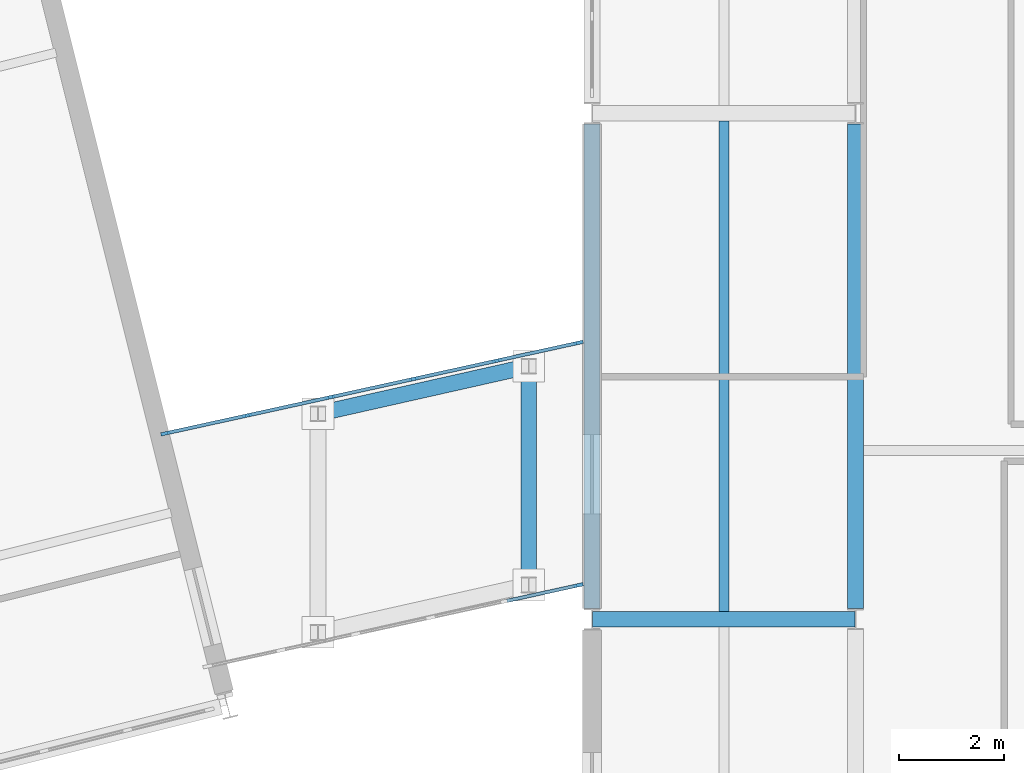
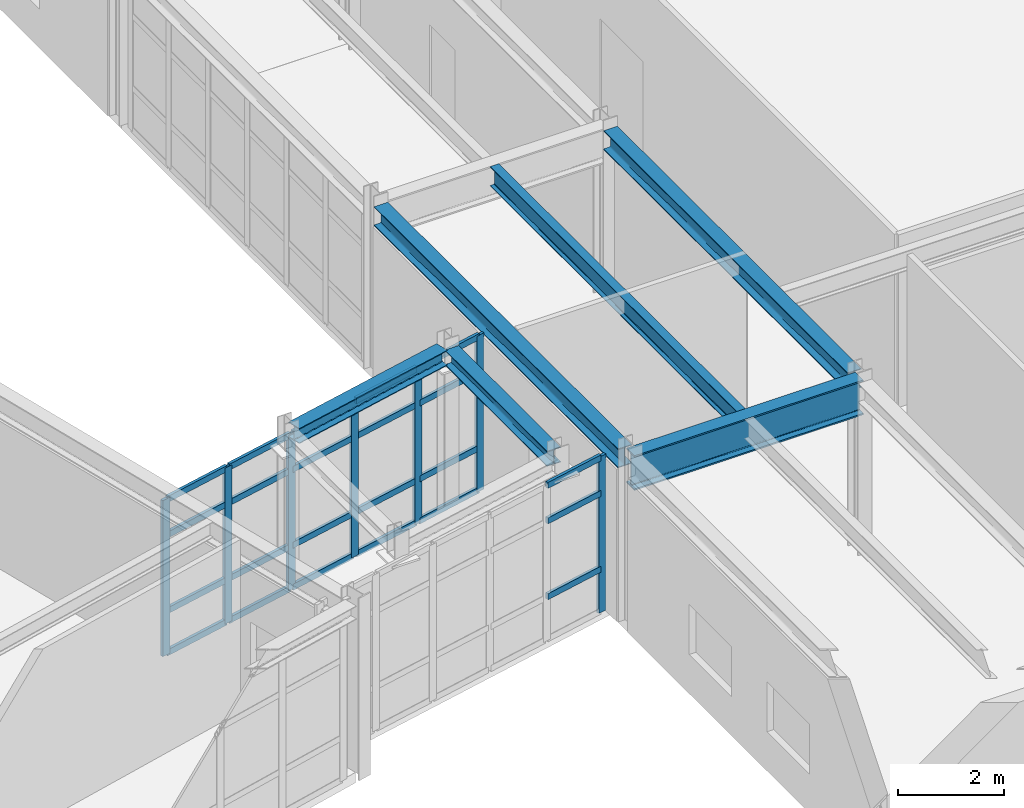
# One storey, part 24 of 88: 30 members, 6 beams, 2 elements without a shape of their own.
"""IFC4 building model written with IfcOpenShell, lengths in metres."""

from ifc_helpers import new_model, si_unit, direction, frame, origin, origin_2d, place, context, subcontext, project, spatial, rectangle, i_section, extrude, material, layer, layer_set, material_profile, profile_set, type_object, element, aggregate, save


model = new_model("IFC4")

# Units and contexts
model_context = context("Model", 3, precision=1e-05, world=origin(), true_north=direction((0.0, 1.0)))
body_context = subcontext(model_context, "Body", "Model", "MODEL_VIEW")
ifc_project = project(units=[si_unit("LENGTHUNIT", "METRE"), si_unit("AREAUNIT", "SQUARE_METRE"), si_unit("VOLUMEUNIT", "CUBIC_METRE"), si_unit("PLANEANGLEUNIT", "RADIAN"), si_unit("MASSUNIT", "GRAM", prefix="KILO")], contexts=[model_context])

# Site, building, storey
site_placement = place(None, origin())
site = spatial("IfcSite", under=ifc_project, at=site_placement, CompositionType="ELEMENT")
building_placement = place(site_placement, origin())
building = spatial("IfcBuilding", under=site, at=building_placement, Name="Nordkorset Police Headquarters", CompositionType="ELEMENT")
storey_placement = place(building_placement, frame((0.0, 0.0, 9.449951171875)))
storey = spatial("IfcBuildingStorey", under=building, at=storey_placement, Name="L02", CompositionType="ELEMENT", Elevation=9.449951171875)

# Beam
ifc_material_1 = material(Name="Steel S355J2", Category="steel")
ifc_material_profile_1 = material_profile(ifc_material_1, i_section(OverallWidth=0.18994140625, OverallDepth=0.449951171875, WebThickness=0.009521484375, FlangeThickness=0.0146484375, FilletRadius=0.02099609375, at=origin_2d()), Name="IPE 450")
ifc_profile_set_1 = profile_set([ifc_material_profile_1], Name="Steel S355J2")
beam_type_1 = type_object("IfcBeamType", Name="Beam_IPE_450", PredefinedType="BEAM", material=ifc_profile_set_1)
beam_1_placement = place(storey_placement, frame((88.89990234375, 57.75, 3.739990234375), z_axis=(0.0, 1.0, 0.0), x_axis=(-1.0, 0.0, 0.0)))
element("IfcBeam", 1, at=beam_1_placement, inside=storey, type_object=beam_type_1, Name="Composite Floor Beam V5 L02 0-1-1", PredefinedType="BEAM", context=body_context, shape_type="SweptSolid", body=[
    extrude(i_section(OverallWidth=0.18994140625, OverallDepth=0.449951171875, WebThickness=0.009521484375, FlangeThickness=0.0146484375, FilletRadius=0.02099609375, at=origin_2d()), origin(), (0.0, 0.0, 1.0), 9.300048828125),
])

# Curtain wall, member
ifc_material_2 = material(Name="Aluminium alloy AW-6060", Category="aluminium")
ifc_layer_1 = layer(ifc_material_2, 0.179931640625, Name="Aluminium alloy AW-6060")
ifc_layer_set_1 = layer_set([ifc_layer_1], Name="Aluminium alloy AW-6060")
curtain_wall_type_1 = type_object("IfcCurtainWallType", Name="CW_Unit_727x360", PredefinedType="USERDEFINED", material=ifc_layer_set_1)
curtain_wall_1_placement = place(storey_placement, origin())
curtain_wall_1 = element("IfcCurtainWall", 2, at=curtain_wall_1_placement, inside=storey, type_object=curtain_wall_type_1, Name="Unitised Curtain Wall L02 BRGE-S", ObjectType="UNITISED CURTAIN WALL", PredefinedType="USERDEFINED")
ifc_material_3 = material(Name="Aluminium alloy AW-6060", Category="aluminium")
ifc_material_profile_2 = material_profile(ifc_material_3, rectangle(XDim=0.06494140625, YDim=0.179931640625, at=origin_2d()), Name="ALU MULL 65x180")
ifc_profile_set_2 = profile_set([ifc_material_profile_2], Name="Aluminium alloy AW-6060")
member_type_1 = type_object("IfcMemberType", Name="CW_Mullion_65x180", PredefinedType="MULLION", material=ifc_profile_set_2)
member_1_placement = place(storey_placement, frame((86.142333984375, 58.24462890625, 0.0), z_axis=(0.0, 0.0, 1.0), x_axis=(-0.213736608425, 0.976891325695, 0.0)))
member_1 = element("IfcMember", 3, at=member_1_placement, type_object=member_type_1, Name="CW-22 mullion 6", PredefinedType="MULLION", context=body_context, shape_type="SweptSolid", body=[
    extrude(rectangle(XDim=0.06494140625, YDim=0.179931640625, at=origin_2d()), origin(), (0.0, 0.0, 1.0), 3.594970703125),
])

# Curtain wall, members
ifc_material_4 = material(Name="Aluminium alloy AW-6060", Category="aluminium")
ifc_layer_2 = layer(ifc_material_4, 0.179931640625, Name="Aluminium alloy AW-6060")
ifc_layer_set_2 = layer_set([ifc_layer_2], Name="Aluminium alloy AW-6060")
curtain_wall_type_2 = type_object("IfcCurtainWallType", Name="CW_Unit_809x360", PredefinedType="USERDEFINED", material=ifc_layer_set_2)
curtain_wall_2_placement = place(storey_placement, origin())
curtain_wall_2 = element("IfcCurtainWall", 4, at=curtain_wall_2_placement, inside=storey, type_object=curtain_wall_type_2, Name="Unitised Curtain Wall L02 BRGE-N", ObjectType="UNITISED CURTAIN WALL", PredefinedType="USERDEFINED")
member_2_placement = place(storey_placement, frame((78.3076171875, 61.12548828125, 0.0), z_axis=(0.0, 0.0, 1.0), x_axis=(-0.214298001706, 0.976768327939, 0.0)))
member_2 = element("IfcMember", 5, at=member_2_placement, type_object=member_type_1, Name="CW-53 mullion 1", PredefinedType="MULLION", context=body_context, shape_type="SweptSolid", body=[
    extrude(rectangle(XDim=0.06494140625, YDim=0.179931640625, at=origin_2d()), origin(), (0.0, 0.0, 1.0), 3.594970703125),
])
member_3_placement = place(storey_placement, frame((79.85546875, 61.465087890625, 0.0), z_axis=(0.0, 0.0, 1.0), x_axis=(-0.214298001706, 0.976768327939, 0.0)))
member_3 = element("IfcMember", 6, at=member_3_placement, type_object=member_type_1, Name="CW-53 mullion 2", PredefinedType="MULLION", context=body_context, shape_type="SweptSolid", body=[
    extrude(rectangle(XDim=0.06494140625, YDim=0.179931640625, at=origin_2d()), origin(), (0.0, 0.0, 1.0), 3.594970703125),
])
member_4_placement = place(storey_placement, frame((81.43505859375, 61.811767578125, 0.0), z_axis=(0.0, 0.0, 1.0), x_axis=(-0.214298001706, 0.976768327939, 0.0)))
member_4 = element("IfcMember", 7, at=member_4_placement, type_object=member_type_1, Name="CW-53 mullion 3", PredefinedType="MULLION", context=body_context, shape_type="SweptSolid", body=[
    extrude(rectangle(XDim=0.06494140625, YDim=0.179931640625, at=origin_2d()), origin(), (0.0, 0.0, 1.0), 3.594970703125),
])
member_5_placement = place(storey_placement, frame((83.014892578125, 62.158203125, 0.0), z_axis=(0.0, 0.0, 1.0), x_axis=(-0.214298001706, 0.976768327939, 0.0)))
member_5 = element("IfcMember", 8, at=member_5_placement, type_object=member_type_1, Name="CW-53 mullion 4", PredefinedType="MULLION", context=body_context, shape_type="SweptSolid", body=[
    extrude(rectangle(XDim=0.06494140625, YDim=0.179931640625, at=origin_2d()), origin(), (0.0, 0.0, 1.0), 3.594970703125),
])
member_6_placement = place(storey_placement, frame((84.594482421875, 62.5048828125, 0.0), z_axis=(0.0, 0.0, 1.0), x_axis=(-0.214298001706, 0.976768327939, 0.0)))
member_6 = element("IfcMember", 9, at=member_6_placement, type_object=member_type_1, Name="CW-53 mullion 5", PredefinedType="MULLION", context=body_context, shape_type="SweptSolid", body=[
    extrude(rectangle(XDim=0.06494140625, YDim=0.179931640625, at=origin_2d()), origin(), (0.0, 0.0, 1.0), 3.594970703125),
])
member_7_placement = place(storey_placement, frame((86.142333984375, 62.844482421875, 0.0), z_axis=(0.0, 0.0, 1.0), x_axis=(-0.214298001706, 0.976768327939, 0.0)))
member_7 = element("IfcMember", 10, at=member_7_placement, type_object=member_type_1, Name="CW-53 mullion 6", PredefinedType="MULLION", context=body_context, shape_type="SweptSolid", body=[
    extrude(rectangle(XDim=0.06494140625, YDim=0.179931640625, at=origin_2d()), origin(), (0.0, 0.0, 1.0), 3.594970703125),
])

# Member
ifc_material_5 = material(Name="Aluminium alloy AW-6060", Category="aluminium")
ifc_material_profile_3 = material_profile(ifc_material_5, rectangle(XDim=0.06494140625, YDim=0.139892578125, at=origin_2d()), Name="ALU TRAN 65x140")
ifc_profile_set_3 = profile_set([ifc_material_profile_3], Name="Aluminium alloy AW-6060")
member_type_2 = type_object("IfcMemberType", Name="CW_Transom_65x140", PredefinedType="USERDEFINED", material=ifc_profile_set_3)
member_8_placement = place(storey_placement, frame((84.7861328125, 57.94775390625, 1.0), z_axis=(0.976889443486, 0.213745210953, 0.0), x_axis=(-0.213745210953, 0.976889443486, 0.0)))
member_8 = element("IfcMember", 11, at=member_8_placement, type_object=member_type_2, Name="CW-22 transom 5.2", ObjectType="TRANSOM", PredefinedType="USERDEFINED", context=body_context, shape_type="SweptSolid", body=[
    extrude(rectangle(XDim=0.06494140625, YDim=0.139892578125, at=origin_2d()), origin(), (0.0, 0.0, 1.0), 1.355712890625),
])

member_9_placement = place(storey_placement, frame((84.7861328125, 57.94775390625, 2.7451171875), z_axis=(0.976889443486, 0.213745210953, 0.0), x_axis=(-0.213745210953, 0.976889443486, 0.0)))
member_9 = element("IfcMember", 12, at=member_9_placement, type_object=member_type_2, Name="CW-22 transom 5.3", ObjectType="TRANSOM", PredefinedType="USERDEFINED", context=body_context, shape_type="SweptSolid", body=[
    extrude(rectangle(XDim=0.06494140625, YDim=0.139892578125, at=origin_2d()), origin(), (0.0, 0.0, 1.0), 1.355712890625),
])

member_10_placement = place(storey_placement, frame((84.7861328125, 57.94775390625, 3.5625), z_axis=(0.976889443486, 0.213745210953, 0.0), x_axis=(-0.213745210953, 0.976889443486, 0.0)))
member_10 = element("IfcMember", 13, at=member_10_placement, type_object=member_type_2, Name="CW-22 transom 5.4", ObjectType="TRANSOM", PredefinedType="USERDEFINED", context=body_context, shape_type="SweptSolid", body=[
    extrude(rectangle(XDim=0.06494140625, YDim=0.139892578125, at=origin_2d()), origin(), (0.0, 0.0, 1.0), 1.355712890625),
])

aggregate(curtain_wall_1, [member_1, member_8, member_9, member_10])

member_11_placement = place(storey_placement, frame((78.33935546875, 61.132568359375, 0.032470703125), z_axis=(0.976765673538, 0.214310100082, 0.0), x_axis=(-0.214310100082, 0.976765673538, 0.0)))
member_11 = element("IfcMember", 14, at=member_11_placement, type_object=member_type_2, Name="CW-53 transom 1.1", ObjectType="TRANSOM", PredefinedType="USERDEFINED", context=body_context, shape_type="SweptSolid", body=[
    extrude(rectangle(XDim=0.06494140625, YDim=0.139892578125, at=origin_2d()), origin(), (0.0, 0.0, 1.0), 1.519775390625),
])

member_12_placement = place(storey_placement, frame((78.33935546875, 61.132568359375, 1.0), z_axis=(0.976765673538, 0.214310100082, 0.0), x_axis=(-0.214310100082, 0.976765673538, 0.0)))
member_12 = element("IfcMember", 15, at=member_12_placement, type_object=member_type_2, Name="CW-53 transom 1.2", ObjectType="TRANSOM", PredefinedType="USERDEFINED", context=body_context, shape_type="SweptSolid", body=[
    extrude(rectangle(XDim=0.06494140625, YDim=0.139892578125, at=origin_2d()), origin(), (0.0, 0.0, 1.0), 1.519775390625),
])

member_13_placement = place(storey_placement, frame((78.33935546875, 61.132568359375, 2.7451171875), z_axis=(0.976765673538, 0.214310100082, 0.0), x_axis=(-0.214310100082, 0.976765673538, 0.0)))
member_13 = element("IfcMember", 16, at=member_13_placement, type_object=member_type_2, Name="CW-53 transom 1.3", ObjectType="TRANSOM", PredefinedType="USERDEFINED", context=body_context, shape_type="SweptSolid", body=[
    extrude(rectangle(XDim=0.06494140625, YDim=0.139892578125, at=origin_2d()), origin(), (0.0, 0.0, 1.0), 1.519775390625),
])

member_14_placement = place(storey_placement, frame((78.33935546875, 61.132568359375, 3.5625), z_axis=(0.976765673538, 0.214310100082, 0.0), x_axis=(-0.214310100082, 0.976765673538, 0.0)))
member_14 = element("IfcMember", 17, at=member_14_placement, type_object=member_type_2, Name="CW-53 transom 1.4", ObjectType="TRANSOM", PredefinedType="USERDEFINED", context=body_context, shape_type="SweptSolid", body=[
    extrude(rectangle(XDim=0.06494140625, YDim=0.139892578125, at=origin_2d()), origin(), (0.0, 0.0, 1.0), 1.519775390625),
])

member_15_placement = place(storey_placement, frame((79.88720703125, 61.47216796875, 0.032470703125), z_axis=(0.976782891569, 0.214231610035, 0.0), x_axis=(-0.214231610035, 0.976782891569, 0.0)))
member_15 = element("IfcMember", 18, at=member_15_placement, type_object=member_type_2, Name="CW-53 transom 2.1", ObjectType="TRANSOM", PredefinedType="USERDEFINED", context=body_context, shape_type="SweptSolid", body=[
    extrude(rectangle(XDim=0.06494140625, YDim=0.139892578125, at=origin_2d()), origin(), (0.0, 0.0, 1.0), 1.55224609375),
])

member_16_placement = place(storey_placement, frame((79.88720703125, 61.47216796875, 1.0), z_axis=(0.976782891569, 0.214231610035, 0.0), x_axis=(-0.214231610035, 0.976782891569, 0.0)))
member_16 = element("IfcMember", 19, at=member_16_placement, type_object=member_type_2, Name="CW-53 transom 2.2", ObjectType="TRANSOM", PredefinedType="USERDEFINED", context=body_context, shape_type="SweptSolid", body=[
    extrude(rectangle(XDim=0.06494140625, YDim=0.139892578125, at=origin_2d()), origin(), (0.0, 0.0, 1.0), 1.55224609375),
])

member_17_placement = place(storey_placement, frame((79.88720703125, 61.47216796875, 2.7451171875), z_axis=(0.976782891569, 0.214231610035, 0.0), x_axis=(-0.214231610035, 0.976782891569, 0.0)))
member_17 = element("IfcMember", 20, at=member_17_placement, type_object=member_type_2, Name="CW-53 transom 2.3", ObjectType="TRANSOM", PredefinedType="USERDEFINED", context=body_context, shape_type="SweptSolid", body=[
    extrude(rectangle(XDim=0.06494140625, YDim=0.139892578125, at=origin_2d()), origin(), (0.0, 0.0, 1.0), 1.55224609375),
])

member_18_placement = place(storey_placement, frame((79.88720703125, 61.47216796875, 3.5625), z_axis=(0.976782891569, 0.214231610035, 0.0), x_axis=(-0.214231610035, 0.976782891569, 0.0)))
member_18 = element("IfcMember", 21, at=member_18_placement, type_object=member_type_2, Name="CW-53 transom 2.4", ObjectType="TRANSOM", PredefinedType="USERDEFINED", context=body_context, shape_type="SweptSolid", body=[
    extrude(rectangle(XDim=0.06494140625, YDim=0.139892578125, at=origin_2d()), origin(), (0.0, 0.0, 1.0), 1.55224609375),
])

member_19_placement = place(storey_placement, frame((81.466796875, 61.818603515625, 0.032470703125), z_axis=(0.976757193741, 0.21434874498, 0.0), x_axis=(-0.21434874498, 0.976757193741, 0.0)))
member_19 = element("IfcMember", 22, at=member_19_placement, type_object=member_type_2, Name="CW-53 transom 3.1", ObjectType="TRANSOM", PredefinedType="USERDEFINED", context=body_context, shape_type="SweptSolid", body=[
    extrude(rectangle(XDim=0.06494140625, YDim=0.139892578125, at=origin_2d()), origin(), (0.0, 0.0, 1.0), 1.552490234375),
])

member_20_placement = place(storey_placement, frame((81.466796875, 61.818603515625, 1.0), z_axis=(0.976757193741, 0.21434874498, 0.0), x_axis=(-0.21434874498, 0.976757193741, 0.0)))
member_20 = element("IfcMember", 23, at=member_20_placement, type_object=member_type_2, Name="CW-53 transom 3.2", ObjectType="TRANSOM", PredefinedType="USERDEFINED", context=body_context, shape_type="SweptSolid", body=[
    extrude(rectangle(XDim=0.06494140625, YDim=0.139892578125, at=origin_2d()), origin(), (0.0, 0.0, 1.0), 1.552490234375),
])

member_21_placement = place(storey_placement, frame((81.466796875, 61.818603515625, 2.7451171875), z_axis=(0.976757193741, 0.21434874498, 0.0), x_axis=(-0.21434874498, 0.976757193741, 0.0)))
member_21 = element("IfcMember", 24, at=member_21_placement, type_object=member_type_2, Name="CW-53 transom 3.3", ObjectType="TRANSOM", PredefinedType="USERDEFINED", context=body_context, shape_type="SweptSolid", body=[
    extrude(rectangle(XDim=0.06494140625, YDim=0.139892578125, at=origin_2d()), origin(), (0.0, 0.0, 1.0), 1.552490234375),
])

member_22_placement = place(storey_placement, frame((81.466796875, 61.818603515625, 3.5625), z_axis=(0.976757193741, 0.21434874498, 0.0), x_axis=(-0.21434874498, 0.976757193741, 0.0)))
member_22 = element("IfcMember", 25, at=member_22_placement, type_object=member_type_2, Name="CW-53 transom 3.4", ObjectType="TRANSOM", PredefinedType="USERDEFINED", context=body_context, shape_type="SweptSolid", body=[
    extrude(rectangle(XDim=0.06494140625, YDim=0.139892578125, at=origin_2d()), origin(), (0.0, 0.0, 1.0), 1.552490234375),
])

member_23_placement = place(storey_placement, frame((83.046630859375, 62.165283203125, 0.032470703125), z_axis=(0.976782891569, 0.214231610035, 0.0), x_axis=(-0.214231610035, 0.976782891569, 0.0)))
member_23 = element("IfcMember", 26, at=member_23_placement, type_object=member_type_2, Name="CW-53 transom 4.1", ObjectType="TRANSOM", PredefinedType="USERDEFINED", context=body_context, shape_type="SweptSolid", body=[
    extrude(rectangle(XDim=0.06494140625, YDim=0.139892578125, at=origin_2d()), origin(), (0.0, 0.0, 1.0), 1.55224609375),
])

member_24_placement = place(storey_placement, frame((83.046630859375, 62.165283203125, 1.0), z_axis=(0.976782891569, 0.214231610035, 0.0), x_axis=(-0.214231610035, 0.976782891569, 0.0)))
member_24 = element("IfcMember", 27, at=member_24_placement, type_object=member_type_2, Name="CW-53 transom 4.2", ObjectType="TRANSOM", PredefinedType="USERDEFINED", context=body_context, shape_type="SweptSolid", body=[
    extrude(rectangle(XDim=0.06494140625, YDim=0.139892578125, at=origin_2d()), origin(), (0.0, 0.0, 1.0), 1.55224609375),
])

member_25_placement = place(storey_placement, frame((83.046630859375, 62.165283203125, 2.7451171875), z_axis=(0.976782891569, 0.214231610035, 0.0), x_axis=(-0.214231610035, 0.976782891569, 0.0)))
member_25 = element("IfcMember", 28, at=member_25_placement, type_object=member_type_2, Name="CW-53 transom 4.3", ObjectType="TRANSOM", PredefinedType="USERDEFINED", context=body_context, shape_type="SweptSolid", body=[
    extrude(rectangle(XDim=0.06494140625, YDim=0.139892578125, at=origin_2d()), origin(), (0.0, 0.0, 1.0), 1.55224609375),
])

member_26_placement = place(storey_placement, frame((83.046630859375, 62.165283203125, 3.5625), z_axis=(0.976782891569, 0.214231610035, 0.0), x_axis=(-0.214231610035, 0.976782891569, 0.0)))
member_26 = element("IfcMember", 29, at=member_26_placement, type_object=member_type_2, Name="CW-53 transom 4.4", ObjectType="TRANSOM", PredefinedType="USERDEFINED", context=body_context, shape_type="SweptSolid", body=[
    extrude(rectangle(XDim=0.06494140625, YDim=0.139892578125, at=origin_2d()), origin(), (0.0, 0.0, 1.0), 1.55224609375),
])

member_27_placement = place(storey_placement, frame((84.626220703125, 62.51171875, 0.032470703125), z_axis=(0.976765673538, 0.214310100082, 0.0), x_axis=(-0.214310100082, 0.976765673538, 0.0)))
member_27 = element("IfcMember", 30, at=member_27_placement, type_object=member_type_2, Name="CW-53 transom 5.1", ObjectType="TRANSOM", PredefinedType="USERDEFINED", context=body_context, shape_type="SweptSolid", body=[
    extrude(rectangle(XDim=0.06494140625, YDim=0.139892578125, at=origin_2d()), origin(), (0.0, 0.0, 1.0), 1.519775390625),
])

member_28_placement = place(storey_placement, frame((84.626220703125, 62.51171875, 1.0), z_axis=(0.976765673538, 0.214310100082, 0.0), x_axis=(-0.214310100082, 0.976765673538, 0.0)))
member_28 = element("IfcMember", 31, at=member_28_placement, type_object=member_type_2, Name="CW-53 transom 5.2", ObjectType="TRANSOM", PredefinedType="USERDEFINED", context=body_context, shape_type="SweptSolid", body=[
    extrude(rectangle(XDim=0.06494140625, YDim=0.139892578125, at=origin_2d()), origin(), (0.0, 0.0, 1.0), 1.519775390625),
])

member_29_placement = place(storey_placement, frame((84.626220703125, 62.51171875, 2.7451171875), z_axis=(0.976765673538, 0.214310100082, 0.0), x_axis=(-0.214310100082, 0.976765673538, 0.0)))
member_29 = element("IfcMember", 32, at=member_29_placement, type_object=member_type_2, Name="CW-53 transom 5.3", ObjectType="TRANSOM", PredefinedType="USERDEFINED", context=body_context, shape_type="SweptSolid", body=[
    extrude(rectangle(XDim=0.06494140625, YDim=0.139892578125, at=origin_2d()), origin(), (0.0, 0.0, 1.0), 1.519775390625),
])

member_30_placement = place(storey_placement, frame((84.626220703125, 62.51171875, 3.5625), z_axis=(0.976765673538, 0.214310100082, 0.0), x_axis=(-0.214310100082, 0.976765673538, 0.0)))
member_30 = element("IfcMember", 33, at=member_30_placement, type_object=member_type_2, Name="CW-53 transom 5.4", ObjectType="TRANSOM", PredefinedType="USERDEFINED", context=body_context, shape_type="SweptSolid", body=[
    extrude(rectangle(XDim=0.06494140625, YDim=0.139892578125, at=origin_2d()), origin(), (0.0, 0.0, 1.0), 1.519775390625),
])

aggregate(curtain_wall_2, [member_2, member_3, member_4, member_5, member_6, member_7, member_11, member_12, member_13, member_14, member_15, member_16, member_17, member_18, member_19, member_20, member_21, member_22, member_23, member_24, member_25, member_26, member_27, member_28, member_29, member_30])

# Beams
ifc_material_6 = material(Name="Steel S355J2", Category="steel")
ifc_material_profile_4 = material_profile(ifc_material_6, i_section(OverallWidth=0.300048828125, OverallDepth=0.35009765625, WebThickness=0.010009765625, FlangeThickness=0.017578125, FilletRadius=0.027099609375, at=origin_2d()), Name="HEA 360")
ifc_profile_set_4 = profile_set([ifc_material_profile_4], Name="Steel S355J2")
beam_type_2 = type_object("IfcBeamType", Name="Girder_HEA_360", PredefinedType="USERDEFINED", material=ifc_profile_set_4)
beam_2_placement = place(storey_placement, frame((81.346435546875, 61.532958984375, 3.7900390625), z_axis=(0.97560459612, 0.219535127095, 0.0), x_axis=(-0.219535127095, 0.97560459612, 0.0)))
element("IfcBeam", 34, at=beam_2_placement, inside=storey, type_object=beam_type_2, Name="Courtyard Link Bridge Girder BRG-E L02 1", ObjectType="GIRDER", PredefinedType="USERDEFINED", context=body_context, shape_type="SweptSolid", body=[
    extrude(i_section(OverallWidth=0.300048828125, OverallDepth=0.35009765625, WebThickness=0.010009765625, FlangeThickness=0.017578125, FilletRadius=0.027099609375, at=origin_2d()), origin(), (0.0, 0.0, 1.0), 3.800048828125),
])
beam_3_placement = place(storey_placement, frame((85.199951171875, 58.39990234375, 3.7900390625), z_axis=(0.0, 1.0, 0.0), x_axis=(-1.0, 0.0, 0.0)))
element("IfcBeam", 35, at=beam_3_placement, inside=storey, type_object=beam_type_2, Name="Courtyard Link Bridge Transverse Beam BRG-E L02 1", ObjectType="GIRDER", PredefinedType="USERDEFINED", context=body_context, shape_type="SweptSolid", body=[
    extrude(i_section(OverallWidth=0.300048828125, OverallDepth=0.35009765625, WebThickness=0.010009765625, FlangeThickness=0.017578125, FilletRadius=0.027099609375, at=origin_2d()), origin(), (0.0, 0.0, 1.0), 3.85009765625),
])
ifc_material_7 = material(Name="Steel S355J2", Category="steel")
ifc_material_profile_5 = material_profile(ifc_material_7, i_section(OverallWidth=0.300048828125, OverallDepth=0.43994140625, WebThickness=0.011474609375, FlangeThickness=0.02099609375, FilletRadius=0.027099609375, at=origin_2d()), Name="HEA 450")
ifc_profile_set_5 = profile_set([ifc_material_profile_5], Name="Steel S355J2")
beam_type_3 = type_object("IfcBeamType", Name="Girder_HEA_450", PredefinedType="USERDEFINED", material=ifc_profile_set_5)
for number, where, z_axis, x_axis, name in (
    (36, (86.39990234375, 57.800048828125, 3.7451171875), (0.0, 1.0, 0.0), (-1.0, 0.0, 0.0), "Girder V5 L02 GY-0-1"),
    (37, (91.39990234375, 57.800048828125, 3.7451171875), (0.0, 1.0, 0.0), (-1.0, 0.0, 0.0), "Girder V5 L02 GY-1-1"),
):
    element("IfcBeam", number, at=place(storey_placement, frame(where, z_axis=z_axis, x_axis=x_axis)), inside=storey, type_object=beam_type_3, Name=name, ObjectType="GIRDER", PredefinedType="USERDEFINED", context=body_context, shape_type="SweptSolid", body=[
        extrude(i_section(OverallWidth=0.300048828125, OverallDepth=0.43994140625, WebThickness=0.011474609375, FlangeThickness=0.02099609375, FilletRadius=0.027099609375, at=origin_2d()), origin(), (0.0, 0.0, 1.0), 9.199951171875),
    ])
ifc_material_8 = material(Name="Steel S355J2", Category="steel")
ifc_material_profile_6 = material_profile(ifc_material_8, i_section(OverallWidth=0.300048828125, OverallDepth=0.800048828125, WebThickness=0.017578125, FlangeThickness=0.032958984375, FilletRadius=0.030029296875, at=origin_2d()), Name="HEB 800")
ifc_profile_set_6 = profile_set([ifc_material_profile_6], Name="Steel S355J2")
beam_type_4 = type_object("IfcBeamType", Name="Girder_HEB_800", PredefinedType="USERDEFINED", material=ifc_profile_set_6)
beam_4_placement = place(storey_placement, frame((86.40673828125, 57.60009765625, 3.56494140625), z_axis=(1.0, 0.0, 0.0), x_axis=(0.0, 1.0, 0.0)))
element("IfcBeam", 38, at=beam_4_placement, inside=storey, type_object=beam_type_4, Name="Girder V5 L02 GX-1-0", ObjectType="GIRDER", PredefinedType="USERDEFINED", context=body_context, shape_type="SweptSolid", body=[
    extrude(i_section(OverallWidth=0.300048828125, OverallDepth=0.800048828125, WebThickness=0.017578125, FlangeThickness=0.032958984375, FilletRadius=0.030029296875, at=origin_2d()), origin(), (0.0, 0.0, 1.0), 4.986572265625),
])

save(model, "model.ifc")
